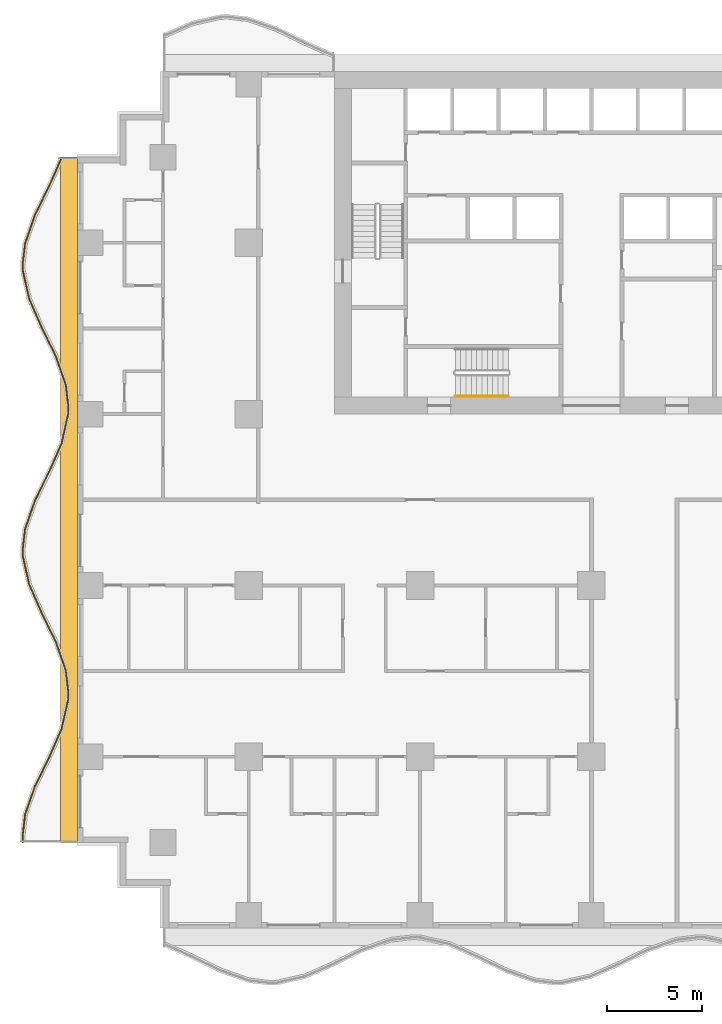
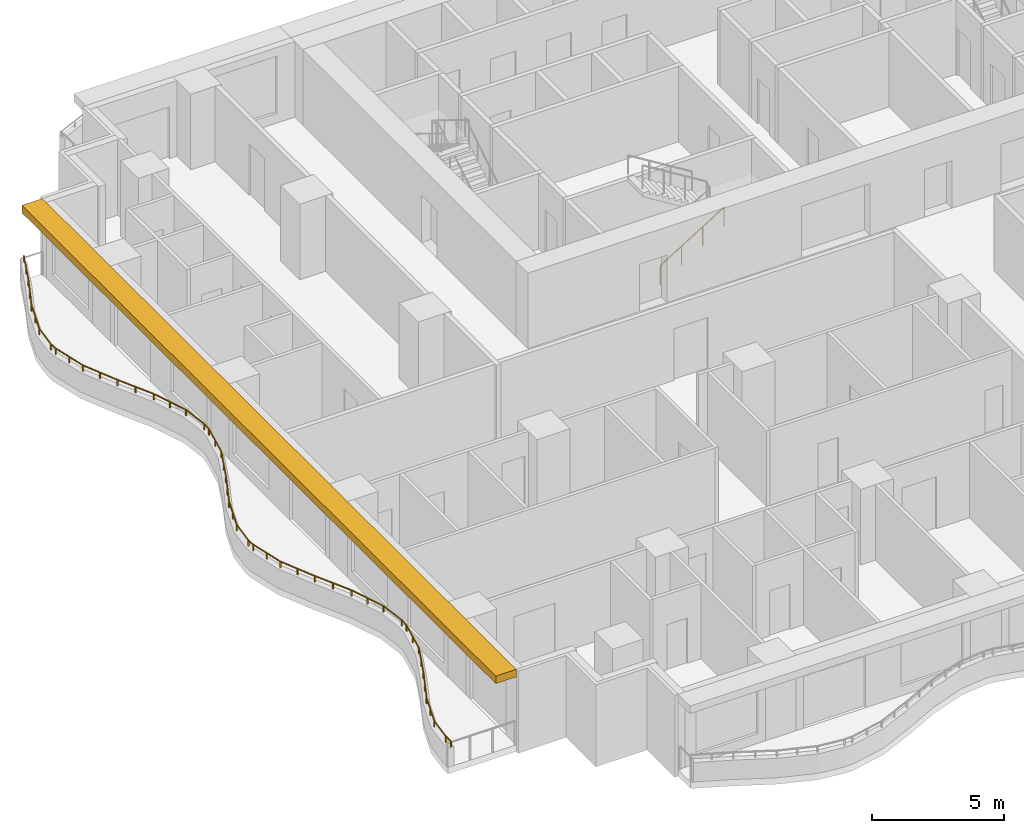
# One storey, part 9 of 14: 2 railings, 1 shading device.
"""IFC4 building model written with IfcOpenShell, lengths in metres."""

from ifc_helpers import new_model, si_unit, direction, frame, origin, origin_2d, place, context, subcontext, project, spatial, polyline, rectangle, circle, outline, extrude, material, layer, layer_set, type_object, element, save


model = new_model("IFC4")

# Units and contexts
model_context = context("Model", 3, precision=1e-05, world=origin(), true_north=direction((0.0, 1.0)))
body_context = subcontext(model_context, "Body", "Model", "MODEL_VIEW")
ifc_project = project(units=[si_unit("LENGTHUNIT", "METRE"), si_unit("AREAUNIT", "SQUARE_METRE"), si_unit("VOLUMEUNIT", "CUBIC_METRE"), si_unit("PLANEANGLEUNIT", "RADIAN"), si_unit("MASSUNIT", "GRAM", prefix="KILO")], contexts=[model_context])

# Site, building, storey
site_placement = place(None, origin())
site = spatial("IfcSite", under=ifc_project, at=site_placement, CompositionType="ELEMENT")
building_placement = place(site_placement, origin())
building = spatial("IfcBuilding", under=site, at=building_placement, Name="Orbiselva Terraces", CompositionType="ELEMENT")
storey_placement = place(building_placement, frame((0.0, 0.0, 73.2)))
storey = spatial("IfcBuildingStorey", under=building, at=storey_placement, Name="L18", CompositionType="ELEMENT", Elevation=73.2)

# Railings
ifc_material_1 = material(Name="Stainless steel", Category="steel")
railing_type_1 = type_object("IfcRailingType", Name="CORE-HANDRAIL-900", PredefinedType="HANDRAIL", material=ifc_material_1)
railing_1_placement = place(storey_placement, frame((-7.15, 5.45, 0.172727)))
element("IfcRailing", 1, at=railing_1_placement, inside=storey, type_object=railing_type_1, Name="L18 S3 stair handrail 1", PredefinedType="HANDRAIL", context=body_context, shape_type="SweptSolid", body=[
    extrude(circle(Radius=0.024, at=origin_2d()), frame((0.0, 0.0, 0.876), z_axis=(0.851088519012, 0.0, 0.52502222125), x_axis=(0.0, 1.0, 0.0)), (0.0, 0.0, 1.0), 3.289905),
    extrude(circle(Radius=0.021, at=origin_2d()), origin(), (0.0, 0.0, 1.0), 0.852),
    extrude(circle(Radius=0.021, at=origin_2d()), frame((0.933333, 0.0, 0.575758)), (0.0, 0.0, 1.0), 0.852),
    extrude(circle(Radius=0.021, at=origin_2d()), frame((1.866667, 0.0, 1.151515)), (0.0, 0.0, 1.0), 0.852),
    extrude(circle(Radius=0.021, at=origin_2d()), frame((2.8, 0.0, 1.727273)), (0.0, 0.0, 1.0), 0.852),
])
ifc_material_2 = material(Name="Bonded two-ply safety glass balustrade, stainless steel posts", Category="steel")
railing_type_2 = type_object("IfcRailingType", Name="ENV-BALUSTRADE-1200", PredefinedType="BALUSTRADE", material=ifc_material_2)
railing_2_placement = place(storey_placement, frame((-27.83708, 17.949606, 0.9)))
element("IfcRailing", 2, at=railing_2_placement, inside=storey, type_object=railing_type_2, Name="Balcony balustrade L18 W", PredefinedType="BALUSTRADE", context=body_context, shape_type="SweptSolid", body=[
    extrude(outline(polyline([(0.028868, 0.0), (0.014434, 0.025), (-0.014434, 0.025), (-0.028868, 0.0), (-0.014434, -0.025), (0.014434, -0.025), (0.028868, 0.0)])), frame((0.0, 0.0, 0.275), z_axis=(-0.403151175476, -0.915133394491, 0.0), x_axis=(0.915133394491, -0.403151175476, 0.0)), (0.0, 0.0, 1.0), 1.641563),
    extrude(outline(polyline([(0.028868, 0.0), (0.014434, 0.025), (-0.014434, 0.025), (-0.028868, 0.0), (-0.014434, -0.025), (0.014434, -0.025), (0.028868, 0.0)])), frame((-0.661798, -1.502249, 0.275), z_axis=(-0.438811978768, -0.89857890432, 0.0), x_axis=(0.89857890432, -0.438811978768, 0.0)), (0.0, 0.0, 1.0), 1.66438),
    extrude(outline(polyline([(0.028868, 0.0), (0.014434, 0.025), (-0.014434, 0.025), (-0.028868, 0.0), (-0.014434, -0.025), (0.014434, -0.025), (0.028868, 0.0)])), frame((-1.392148, -2.997826, 0.275), z_axis=(-0.330024754707, -0.943972277814, 0.0), x_axis=(0.943972277814, -0.330024754707, 0.0)), (0.0, 0.0, 1.0), 1.567807),
    extrude(outline(polyline([(0.028868, 0.0), (0.014434, 0.025), (-0.014434, 0.025), (-0.028868, 0.0), (-0.014434, -0.025), (0.014434, -0.025), (0.028868, 0.0)])), frame((-1.909563, -4.477792, 0.275), z_axis=(-0.115481264762, -0.993309658409, 0.0), x_axis=(0.993309658409, -0.115481264762, 0.0)), (0.0, 0.0, 1.0), 1.10902),
    extrude(outline(polyline([(0.028868, 0.0), (0.014434, 0.025), (-0.014434, 0.025), (-0.028868, 0.0), (-0.014434, -0.025), (0.014434, -0.025), (0.028868, 0.0)])), frame((-2.037634, -5.579392, 0.275), z_axis=(0.039364150694, -0.999224931454, 0.0), x_axis=(0.999224931454, 0.039364150694, 0.0)), (0.0, 0.0, 1.0), 0.354206),
    extrude(outline(polyline([(0.028868, 0.0), (0.014434, 0.025), (-0.014434, 0.025), (-0.028868, 0.0), (-0.014434, -0.025), (0.014434, -0.025), (0.028868, 0.0)])), frame((-2.023691, -5.933323, 0.275), z_axis=(0.219015740235, -0.975721325753, 0.0), x_axis=(0.975721325753, 0.219015740235, 0.0)), (0.0, 0.0, 1.0), 1.513782),
    extrude(outline(polyline([(0.028868, 0.0), (0.014434, 0.025), (-0.014434, 0.025), (-0.028868, 0.0), (-0.014434, -0.025), (0.014434, -0.025), (0.028868, 0.0)])), frame((-1.692149, -7.410352, 0.275), z_axis=(0.403151245402, -0.915133363686, 0.0), x_axis=(0.915133363686, 0.403151245402, 0.0)), (0.0, 0.0, 1.0), 1.624475),
    extrude(outline(polyline([(0.028868, 0.0), (0.014434, 0.025), (-0.014434, 0.025), (-0.028868, 0.0), (-0.014434, -0.025), (0.014434, -0.025), (0.028868, 0.0)])), frame((-1.03724, -8.896963, 0.275), z_axis=(0.438812048596, -0.898578870221, 0.0), x_axis=(0.898578870221, 0.438812048596, 0.0)), (0.0, 0.0, 1.0), 1.674225),
    extrude(outline(polyline([(0.028868, 0.0), (0.014434, 0.025), (-0.014434, 0.025), (-0.028868, 0.0), (-0.014434, -0.025), (0.014434, -0.025), (0.028868, 0.0)])), frame((-0.30257, -10.401386, 0.275), z_axis=(0.330024597479, -0.943972332783, 0.0), x_axis=(0.943972332783, 0.330024597479, 0.0)), (0.0, 0.0, 1.0), 1.610253),
    extrude(outline(polyline([(0.028868, 0.0), (0.014434, 0.025), (-0.014434, 0.025), (-0.028868, 0.0), (-0.014434, -0.025), (0.014434, -0.025), (0.028868, 0.0)])), frame((0.228853, -11.92142, 0.275), z_axis=(0.115482182324, -0.993309551734, 0.0), x_axis=(0.993309551734, 0.115482182324, 0.0)), (0.0, 0.0, 1.0), 1.156135),
    extrude(outline(polyline([(0.028868, 0.0), (0.014434, 0.025), (-0.014434, 0.025), (-0.028868, 0.0), (-0.014434, -0.025), (0.014434, -0.025), (0.028868, 0.0)])), frame((0.362366, -13.06982, 0.275), z_axis=(-0.03936915532, -0.999224734286, 0.0), x_axis=(0.999224734286, -0.03936915532, 0.0)), (0.0, 0.0, 1.0), 0.396376),
    extrude(outline(polyline([(0.028868, 0.0), (0.014434, 0.025), (-0.014434, 0.025), (-0.028868, 0.0), (-0.014434, -0.025), (0.014434, -0.025), (0.028868, 0.0)])), frame((0.346761, -13.465889, 0.275), z_axis=(-0.219015500924, -0.97572137947, 0.0), x_axis=(0.97572137947, -0.219015500924, 0.0)), (0.0, 0.0, 1.0), 1.560867),
    extrude(outline(polyline([(0.028868, 0.0), (0.014434, 0.025), (-0.014434, 0.025), (-0.028868, 0.0), (-0.014434, -0.025), (0.014434, -0.025), (0.028868, 0.0)])), frame((0.004907, -14.98886, 0.275), z_axis=(-0.403150874148, -0.915133527237, 0.0), x_axis=(0.915133527237, -0.403150874148, 0.0)), (0.0, 0.0, 1.0), 1.653736),
    extrude(outline(polyline([(0.028868, 0.0), (0.014434, 0.025), (-0.014434, 0.025), (-0.028868, 0.0), (-0.014434, -0.025), (0.014434, -0.025), (0.028868, 0.0)])), frame((-0.661798, -16.502249, 0.275), z_axis=(-0.438811978768, -0.89857890432, 0.0), x_axis=(0.89857890432, -0.438811978768, 0.0)), (0.0, 0.0, 1.0), 1.66438),
    extrude(outline(polyline([(0.028868, 0.0), (0.014434, 0.025), (-0.014434, 0.025), (-0.028868, 0.0), (-0.014434, -0.025), (0.014434, -0.025), (0.028868, 0.0)])), frame((-1.392148, -17.997826, 0.275), z_axis=(-0.330024754707, -0.943972277814, 0.0), x_axis=(0.943972277814, -0.330024754707, 0.0)), (0.0, 0.0, 1.0), 1.567807),
    extrude(outline(polyline([(0.028868, 0.0), (0.014434, 0.025), (-0.014434, 0.025), (-0.028868, 0.0), (-0.014434, -0.025), (0.014434, -0.025), (0.028868, 0.0)])), frame((-1.909563, -19.477792, 0.275), z_axis=(-0.115481264762, -0.993309658409, 0.0), x_axis=(0.993309658409, -0.115481264762, 0.0)), (0.0, 0.0, 1.0), 1.10902),
    extrude(outline(polyline([(0.028868, 0.0), (0.014434, 0.025), (-0.014434, 0.025), (-0.028868, 0.0), (-0.014434, -0.025), (0.014434, -0.025), (0.028868, 0.0)])), frame((-2.037634, -20.579392, 0.275), z_axis=(0.039364150694, -0.999224931454, 0.0), x_axis=(0.999224931454, 0.039364150694, 0.0)), (0.0, 0.0, 1.0), 0.354206),
    extrude(outline(polyline([(0.028868, 0.0), (0.014434, 0.025), (-0.014434, 0.025), (-0.028868, 0.0), (-0.014434, -0.025), (0.014434, -0.025), (0.028868, 0.0)])), frame((-2.023691, -20.933323, 0.275), z_axis=(0.219015740235, -0.975721325753, 0.0), x_axis=(0.975721325753, 0.219015740235, 0.0)), (0.0, 0.0, 1.0), 1.513782),
    extrude(outline(polyline([(0.028868, 0.0), (0.014434, 0.025), (-0.014434, 0.025), (-0.028868, 0.0), (-0.014434, -0.025), (0.014434, -0.025), (0.028868, 0.0)])), frame((-1.692149, -22.410352, 0.275), z_axis=(0.403151245402, -0.915133363686, 0.0), x_axis=(0.915133363686, 0.403151245402, 0.0)), (0.0, 0.0, 1.0), 1.624475),
    extrude(outline(polyline([(0.028868, 0.0), (0.014434, 0.025), (-0.014434, 0.025), (-0.028868, 0.0), (-0.014434, -0.025), (0.014434, -0.025), (0.028868, 0.0)])), frame((-1.03724, -23.896963, 0.275), z_axis=(0.438812048596, -0.898578870221, 0.0), x_axis=(0.898578870221, 0.438812048596, 0.0)), (0.0, 0.0, 1.0), 1.674225),
    extrude(outline(polyline([(0.028868, 0.0), (0.014434, 0.025), (-0.014434, 0.025), (-0.028868, 0.0), (-0.014434, -0.025), (0.014434, -0.025), (0.028868, 0.0)])), frame((-0.30257, -25.401386, 0.275), z_axis=(0.330024597479, -0.943972332783, 0.0), x_axis=(0.943972332783, 0.330024597479, 0.0)), (0.0, 0.0, 1.0), 1.610253),
    extrude(outline(polyline([(0.028868, 0.0), (0.014434, 0.025), (-0.014434, 0.025), (-0.028868, 0.0), (-0.014434, -0.025), (0.014434, -0.025), (0.028868, 0.0)])), frame((0.228853, -26.92142, 0.275), z_axis=(0.115482182324, -0.993309551734, 0.0), x_axis=(0.993309551734, 0.115482182324, 0.0)), (0.0, 0.0, 1.0), 1.156135),
    extrude(outline(polyline([(0.028868, 0.0), (0.014434, 0.025), (-0.014434, 0.025), (-0.028868, 0.0), (-0.014434, -0.025), (0.014434, -0.025), (0.028868, 0.0)])), frame((0.362366, -28.06982, 0.275), z_axis=(-0.03936915532, -0.999224734286, 0.0), x_axis=(0.999224734286, -0.03936915532, 0.0)), (0.0, 0.0, 1.0), 0.396376),
    extrude(outline(polyline([(0.028868, 0.0), (0.014434, 0.025), (-0.014434, 0.025), (-0.028868, 0.0), (-0.014434, -0.025), (0.014434, -0.025), (0.028868, 0.0)])), frame((0.346761, -28.465889, 0.275), z_axis=(-0.219015500924, -0.97572137947, 0.0), x_axis=(0.97572137947, -0.219015500924, 0.0)), (0.0, 0.0, 1.0), 1.560867),
    extrude(outline(polyline([(0.028868, 0.0), (0.014434, 0.025), (-0.014434, 0.025), (-0.028868, 0.0), (-0.014434, -0.025), (0.014434, -0.025), (0.028868, 0.0)])), frame((0.004907, -29.98886, 0.275), z_axis=(-0.403150874148, -0.915133527237, 0.0), x_axis=(0.915133527237, -0.403150874148, 0.0)), (0.0, 0.0, 1.0), 1.653736),
    extrude(outline(polyline([(0.028868, 0.0), (0.014434, 0.025), (-0.014434, 0.025), (-0.028868, 0.0), (-0.014434, -0.025), (0.014434, -0.025), (0.028868, 0.0)])), frame((-0.661798, -31.502249, 0.275), z_axis=(-0.438811978768, -0.89857890432, 0.0), x_axis=(0.89857890432, -0.438811978768, 0.0)), (0.0, 0.0, 1.0), 1.66438),
    extrude(outline(polyline([(0.028868, 0.0), (0.014434, 0.025), (-0.014434, 0.025), (-0.028868, 0.0), (-0.014434, -0.025), (0.014434, -0.025), (0.028868, 0.0)])), frame((-1.392148, -32.997826, 0.275), z_axis=(-0.330024754707, -0.943972277814, 0.0), x_axis=(0.943972277814, -0.330024754707, 0.0)), (0.0, 0.0, 1.0), 1.567807),
    extrude(outline(polyline([(0.028868, 0.0), (0.014434, 0.025), (-0.014434, 0.025), (-0.028868, 0.0), (-0.014434, -0.025), (0.014434, -0.025), (0.028868, 0.0)])), frame((-1.909563, -34.477792, 0.275), z_axis=(-0.115481264762, -0.993309658409, 0.0), x_axis=(0.993309658409, -0.115481264762, 0.0)), (0.0, 0.0, 1.0), 1.10902),
    extrude(outline(polyline([(0.028868, 0.0), (0.014434, 0.025), (-0.014434, 0.025), (-0.028868, 0.0), (-0.014434, -0.025), (0.014434, -0.025), (0.028868, 0.0)])), frame((-2.037634, -35.579392, 0.275), z_axis=(0.039365236599, -0.999224888675, 0.0), x_axis=(0.999224888675, 0.039365236599, 0.0)), (0.0, 0.0, 1.0), 0.365576),
    extrude(rectangle(XDim=0.05, YDim=0.05, at=origin_2d()), origin(), (0.0, 0.0, 1.0), 0.25),
    extrude(rectangle(XDim=0.05, YDim=0.05, at=origin_2d()), frame((-0.330899, -0.751124, 0.0)), (0.0, 0.0, 1.0), 0.25),
    extrude(rectangle(XDim=0.05, YDim=0.05, at=origin_2d()), frame((-0.661798, -1.502249, 0.0)), (0.0, 0.0, 1.0), 0.25),
    extrude(rectangle(XDim=0.05, YDim=0.05, at=origin_2d()), frame((-1.026973, -2.250037, 0.0)), (0.0, 0.0, 1.0), 0.25),
    extrude(rectangle(XDim=0.05, YDim=0.05, at=origin_2d()), frame((-1.392148, -2.997826, 0.0)), (0.0, 0.0, 1.0), 0.25),
    extrude(rectangle(XDim=0.05, YDim=0.05, at=origin_2d()), frame((-1.650855, -3.737809, 0.0)), (0.0, 0.0, 1.0), 0.25),
    extrude(rectangle(XDim=0.05, YDim=0.05, at=origin_2d()), frame((-1.909563, -4.477792, 0.0)), (0.0, 0.0, 1.0), 0.25),
    extrude(rectangle(XDim=0.05, YDim=0.05, at=origin_2d()), frame((-2.037634, -5.579392, 0.0)), (0.0, 0.0, 1.0), 0.25),
    extrude(rectangle(XDim=0.05, YDim=0.05, at=origin_2d()), frame((-2.023691, -5.933323, 0.0)), (0.0, 0.0, 1.0), 0.25),
    extrude(rectangle(XDim=0.05, YDim=0.05, at=origin_2d()), frame((-1.85792, -6.671838, 0.0)), (0.0, 0.0, 1.0), 0.25),
    extrude(rectangle(XDim=0.05, YDim=0.05, at=origin_2d()), frame((-1.692149, -7.410352, 0.0)), (0.0, 0.0, 1.0), 0.25),
    extrude(rectangle(XDim=0.05, YDim=0.05, at=origin_2d()), frame((-1.364695, -8.153658, 0.0)), (0.0, 0.0, 1.0), 0.25),
    extrude(rectangle(XDim=0.05, YDim=0.05, at=origin_2d()), frame((-1.03724, -8.896963, 0.0)), (0.0, 0.0, 1.0), 0.25),
    extrude(rectangle(XDim=0.05, YDim=0.05, at=origin_2d()), frame((-0.669905, -9.649174, 0.0)), (0.0, 0.0, 1.0), 0.25),
    extrude(rectangle(XDim=0.05, YDim=0.05, at=origin_2d()), frame((-0.30257, -10.401386, 0.0)), (0.0, 0.0, 1.0), 0.25),
    extrude(rectangle(XDim=0.05, YDim=0.05, at=origin_2d()), frame((-0.036858, -11.161403, 0.0)), (0.0, 0.0, 1.0), 0.25),
    extrude(rectangle(XDim=0.05, YDim=0.05, at=origin_2d()), frame((0.228853, -11.92142, 0.0)), (0.0, 0.0, 1.0), 0.25),
    extrude(rectangle(XDim=0.05, YDim=0.05, at=origin_2d()), frame((0.362366, -13.06982, 0.0)), (0.0, 0.0, 1.0), 0.25),
    extrude(rectangle(XDim=0.05, YDim=0.05, at=origin_2d()), frame((0.346761, -13.465889, 0.0)), (0.0, 0.0, 1.0), 0.25),
    extrude(rectangle(XDim=0.05, YDim=0.05, at=origin_2d()), frame((0.175834, -14.227374, 0.0)), (0.0, 0.0, 1.0), 0.25),
    extrude(rectangle(XDim=0.05, YDim=0.05, at=origin_2d()), frame((0.004907, -14.98886, 0.0)), (0.0, 0.0, 1.0), 0.25),
    extrude(rectangle(XDim=0.05, YDim=0.05, at=origin_2d()), frame((-0.328446, -15.745554, 0.0)), (0.0, 0.0, 1.0), 0.25),
    extrude(rectangle(XDim=0.05, YDim=0.05, at=origin_2d()), frame((-0.661798, -16.502249, 0.0)), (0.0, 0.0, 1.0), 0.25),
    extrude(rectangle(XDim=0.05, YDim=0.05, at=origin_2d()), frame((-1.026973, -17.250037, 0.0)), (0.0, 0.0, 1.0), 0.25),
    extrude(rectangle(XDim=0.05, YDim=0.05, at=origin_2d()), frame((-1.392148, -17.997826, 0.0)), (0.0, 0.0, 1.0), 0.25),
    extrude(rectangle(XDim=0.05, YDim=0.05, at=origin_2d()), frame((-1.650855, -18.737809, 0.0)), (0.0, 0.0, 1.0), 0.25),
    extrude(rectangle(XDim=0.05, YDim=0.05, at=origin_2d()), frame((-1.909563, -19.477792, 0.0)), (0.0, 0.0, 1.0), 0.25),
    extrude(rectangle(XDim=0.05, YDim=0.05, at=origin_2d()), frame((-2.037634, -20.579392, 0.0)), (0.0, 0.0, 1.0), 0.25),
    extrude(rectangle(XDim=0.05, YDim=0.05, at=origin_2d()), frame((-2.023691, -20.933323, 0.0)), (0.0, 0.0, 1.0), 0.25),
    extrude(rectangle(XDim=0.05, YDim=0.05, at=origin_2d()), frame((-1.85792, -21.671838, 0.0)), (0.0, 0.0, 1.0), 0.25),
    extrude(rectangle(XDim=0.05, YDim=0.05, at=origin_2d()), frame((-1.692149, -22.410352, 0.0)), (0.0, 0.0, 1.0), 0.25),
    extrude(rectangle(XDim=0.05, YDim=0.05, at=origin_2d()), frame((-1.364695, -23.153658, 0.0)), (0.0, 0.0, 1.0), 0.25),
    extrude(rectangle(XDim=0.05, YDim=0.05, at=origin_2d()), frame((-1.03724, -23.896963, 0.0)), (0.0, 0.0, 1.0), 0.25),
    extrude(rectangle(XDim=0.05, YDim=0.05, at=origin_2d()), frame((-0.669905, -24.649174, 0.0)), (0.0, 0.0, 1.0), 0.25),
    extrude(rectangle(XDim=0.05, YDim=0.05, at=origin_2d()), frame((-0.30257, -25.401386, 0.0)), (0.0, 0.0, 1.0), 0.25),
    extrude(rectangle(XDim=0.05, YDim=0.05, at=origin_2d()), frame((-0.036858, -26.161403, 0.0)), (0.0, 0.0, 1.0), 0.25),
    extrude(rectangle(XDim=0.05, YDim=0.05, at=origin_2d()), frame((0.228853, -26.92142, 0.0)), (0.0, 0.0, 1.0), 0.25),
    extrude(rectangle(XDim=0.05, YDim=0.05, at=origin_2d()), frame((0.362366, -28.06982, 0.0)), (0.0, 0.0, 1.0), 0.25),
    extrude(rectangle(XDim=0.05, YDim=0.05, at=origin_2d()), frame((0.346761, -28.465889, 0.0)), (0.0, 0.0, 1.0), 0.25),
    extrude(rectangle(XDim=0.05, YDim=0.05, at=origin_2d()), frame((0.175834, -29.227374, 0.0)), (0.0, 0.0, 1.0), 0.25),
    extrude(rectangle(XDim=0.05, YDim=0.05, at=origin_2d()), frame((0.004907, -29.98886, 0.0)), (0.0, 0.0, 1.0), 0.25),
    extrude(rectangle(XDim=0.05, YDim=0.05, at=origin_2d()), frame((-0.328446, -30.745554, 0.0)), (0.0, 0.0, 1.0), 0.25),
    extrude(rectangle(XDim=0.05, YDim=0.05, at=origin_2d()), frame((-0.661798, -31.502249, 0.0)), (0.0, 0.0, 1.0), 0.25),
    extrude(rectangle(XDim=0.05, YDim=0.05, at=origin_2d()), frame((-1.026973, -32.250038, 0.0)), (0.0, 0.0, 1.0), 0.25),
    extrude(rectangle(XDim=0.05, YDim=0.05, at=origin_2d()), frame((-1.392148, -32.997826, 0.0)), (0.0, 0.0, 1.0), 0.25),
    extrude(rectangle(XDim=0.05, YDim=0.05, at=origin_2d()), frame((-1.650855, -33.737809, 0.0)), (0.0, 0.0, 1.0), 0.25),
    extrude(rectangle(XDim=0.05, YDim=0.05, at=origin_2d()), frame((-1.909563, -34.477792, 0.0)), (0.0, 0.0, 1.0), 0.25),
    extrude(rectangle(XDim=0.05, YDim=0.05, at=origin_2d()), frame((-2.037634, -35.579392, 0.0)), (0.0, 0.0, 1.0), 0.25),
    extrude(rectangle(XDim=0.05, YDim=0.05, at=origin_2d()), frame((-2.023243, -35.944685, 0.0)), (0.0, 0.0, 1.0), 0.25),
])

# Shading device
ifc_material_3 = material(Name="Terracotta baguette sunshade", Category="masonry")
ifc_layer = layer(ifc_material_3, 0.35)
ifc_layer_set = layer_set([ifc_layer], Name="Terracotta baguette sunshade")
shading_device_type = type_object("IfcShadingDeviceType", Name="ENV-SUNSHADE-900x350", PredefinedType="USERDEFINED", material=ifc_layer_set)
shading_device_placement = place(storey_placement, frame((0.0, 0.0, 3.15)))
element("IfcShadingDevice", 3, at=shading_device_placement, inside=storey, type_object=shading_device_type, Name="Sunshade band L18 W", ObjectType="SUNSHADE", PredefinedType="USERDEFINED", context=body_context, shape_type="SweptSolid", body=[
    extrude(outline(polyline([(-27.9, 18.0), (-27.9, -18.0), (-27.0, -18.0), (-27.0, 18.0), (-27.9, 18.0)])), origin(), (0.0, 0.0, 1.0), 0.35),
])

save(model, "model.ifc")
